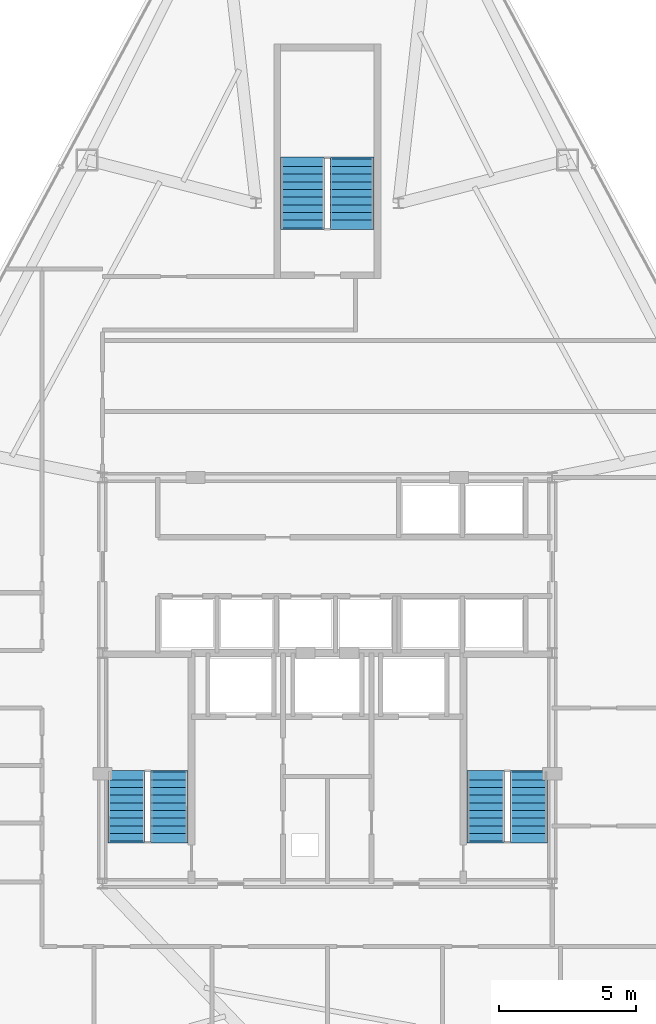
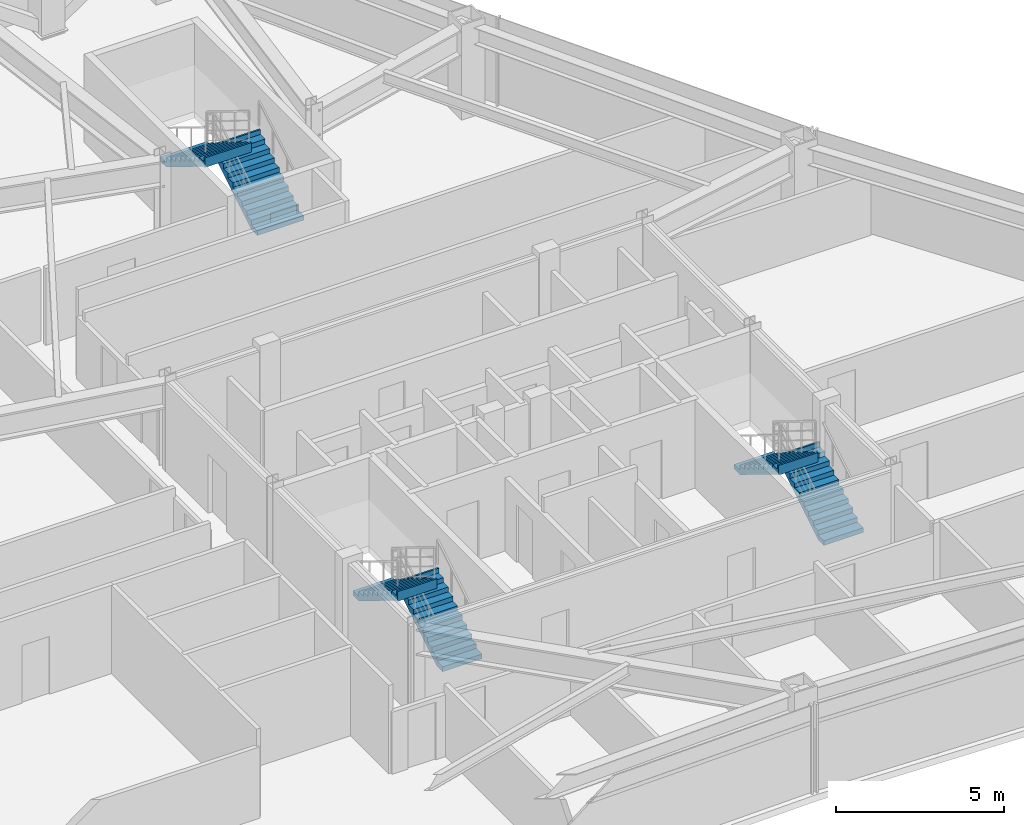
# One storey, part 12 of 13: 6 stair flights, 3 elements without a shape of their own.
"""IFC4 building model written with IfcOpenShell, lengths in metres."""

from ifc_helpers import new_model, si_unit, direction, frame, origin, place, context, subcontext, project, spatial, polyline, outline, extrude, material, type_object, element, aggregate, save


model = new_model("IFC4")

# Units and contexts
model_context = context("Model", 3, precision=1e-05, world=origin(), true_north=direction((0.0, 1.0)))
body_context = subcontext(model_context, "Body", "Model", "MODEL_VIEW")
ifc_project = project(units=[si_unit("LENGTHUNIT", "METRE"), si_unit("AREAUNIT", "SQUARE_METRE"), si_unit("VOLUMEUNIT", "CUBIC_METRE"), si_unit("PLANEANGLEUNIT", "RADIAN"), si_unit("MASSUNIT", "GRAM", prefix="KILO")], contexts=[model_context])

# Site, building, storey
site_placement = place(None, origin())
site = spatial("IfcSite", under=ifc_project, at=site_placement, CompositionType="ELEMENT")
building_placement = place(site_placement, origin())
building = spatial("IfcBuilding", under=site, at=building_placement, Name="Varakhsha Concourse Tower", CompositionType="ELEMENT")
storey_placement = place(building_placement, frame((0.0, 0.0, 165.449951171875)))
storey = spatial("IfcBuildingStorey", under=building, at=storey_placement, Name="L47", CompositionType="ELEMENT", Elevation=165.449951171875)

# Stair, stair flights
ifc_material = material(Name="Concrete fc 45 MPa", Category="concrete")
stair_type_1 = type_object("IfcStairType", Name="ST-DOGLEG-1360", PredefinedType="HALF_TURN_STAIR", material=ifc_material)
stair_1_placement = place(storey_placement, origin())
stair_1 = element("IfcStair", 1, at=stair_1_placement, inside=storey, type_object=stair_type_1, Name="L47 Protected Exit Stair ST1", PredefinedType="HALF_TURN_STAIR")
stair_flight_type_1 = type_object("IfcStairFlightType", Name="STF-1360-R1725", PredefinedType="STRAIGHT", material=ifc_material)
stair_flight_1_placement = place(storey_placement, frame((34.239990234375, 17.93994140625, 0.0), z_axis=(0.0, 0.0, 1.0), x_axis=(0.0, 1.0, 0.0)))
stair_flight_1 = element("IfcStairFlight", 2, at=stair_flight_1_placement, type_object=stair_flight_type_1, Name="ST1 flight 1", NumberOfRisers=10, NumberOfTreads=9, PredefinedType="STRAIGHT", RiserHeight=0.1725, TreadLength=0.28, context=body_context, shape_type="SweptSolid", body=[
    extrude(outline(polyline([(-0.06005859375, 0.0), (-0.06005859375, 0.172607421875), (0.0, 0.172607421875), (0.280029296875, 0.172607421875), (0.280029296875, 0.344970703125), (0.56005859375, 0.344970703125), (0.56005859375, 0.517578125), (0.840087890625, 0.517578125), (0.840087890625, 0.68994140625), (1.1201171875, 0.68994140625), (1.1201171875, 0.862548828125), (1.39990234375, 0.862548828125), (1.39990234375, 1.034912109375), (1.679931640625, 1.034912109375), (1.679931640625, 1.20751953125), (1.9599609375, 1.20751953125), (1.9599609375, 1.3798828125), (2.239990234375, 1.3798828125), (2.239990234375, 1.552490234375), (2.52001953125, 1.552490234375), (2.52001953125, 1.72509765625), (2.580078125, 1.72509765625), (2.580078125, 1.37646484375), (2.52001953125, 1.37646484375), (0.285888671875, 0.0), (-0.06005859375, 0.0)])), frame((0.0, 0.68017578125, 0.0), z_axis=(0.0, -1.0, 0.0), x_axis=(1.0, 0.0, 0.0)), (0.0, 0.0, 1.0), 1.360107421875),
])
stair_flight_2_placement = place(storey_placement, frame((32.679931640625, 20.4599609375, 1.72509765625), z_axis=(0.0, 0.0, 1.0), x_axis=(0.0, -1.0, 0.0)))
stair_flight_2 = element("IfcStairFlight", 3, at=stair_flight_2_placement, type_object=stair_flight_type_1, Name="ST1 flight 2", NumberOfRisers=10, NumberOfTreads=9, PredefinedType="STRAIGHT", RiserHeight=0.1725, TreadLength=0.28, context=body_context, shape_type="SweptSolid", body=[
    extrude(outline(polyline([(-0.06005859375, 0.0), (-0.06005859375, 0.172607421875), (0.0, 0.172607421875), (0.280029296875, 0.172607421875), (0.280029296875, 0.344970703125), (0.56005859375, 0.344970703125), (0.56005859375, 0.517578125), (0.840087890625, 0.517578125), (0.840087890625, 0.68994140625), (1.1201171875, 0.68994140625), (1.1201171875, 0.862548828125), (1.39990234375, 0.862548828125), (1.39990234375, 1.034912109375), (1.679931640625, 1.034912109375), (1.679931640625, 1.20751953125), (1.9599609375, 1.20751953125), (1.9599609375, 1.3798828125), (2.239990234375, 1.3798828125), (2.239990234375, 1.552490234375), (2.52001953125, 1.552490234375), (2.52001953125, 1.72509765625), (2.580078125, 1.72509765625), (2.580078125, 1.37646484375), (2.52001953125, 1.37646484375), (0.285888671875, 0.0), (-0.06005859375, 0.0)])), frame((0.0, 0.68017578125, 0.0), z_axis=(0.0, -1.0, 0.0), x_axis=(1.0, 0.0, 0.0)), (0.0, 0.0, 1.0), 1.360107421875),
])
aggregate(stair_1, [stair_flight_1, stair_flight_2])

stair_2_placement = place(storey_placement, origin())
stair_2 = element("IfcStair", 4, at=stair_2_placement, inside=storey, type_object=stair_type_1, Name="L47 Protected Exit Stair ST2", PredefinedType="HALF_TURN_STAIR")
stair_flight_3_placement = place(storey_placement, frame((47.340087890625, 17.93994140625, 0.0), z_axis=(0.0, 0.0, 1.0), x_axis=(0.0, 1.0, 0.0)))
stair_flight_3 = element("IfcStairFlight", 5, at=stair_flight_3_placement, type_object=stair_flight_type_1, Name="ST2 flight 1", NumberOfRisers=10, NumberOfTreads=9, PredefinedType="STRAIGHT", RiserHeight=0.1725, TreadLength=0.28, context=body_context, shape_type="SweptSolid", body=[
    extrude(outline(polyline([(-0.06005859375, 0.0), (-0.06005859375, 0.172607421875), (0.0, 0.172607421875), (0.280029296875, 0.172607421875), (0.280029296875, 0.344970703125), (0.56005859375, 0.344970703125), (0.56005859375, 0.517578125), (0.840087890625, 0.517578125), (0.840087890625, 0.68994140625), (1.1201171875, 0.68994140625), (1.1201171875, 0.862548828125), (1.39990234375, 0.862548828125), (1.39990234375, 1.034912109375), (1.679931640625, 1.034912109375), (1.679931640625, 1.20751953125), (1.9599609375, 1.20751953125), (1.9599609375, 1.3798828125), (2.239990234375, 1.3798828125), (2.239990234375, 1.552490234375), (2.52001953125, 1.552490234375), (2.52001953125, 1.72509765625), (2.580078125, 1.72509765625), (2.580078125, 1.37646484375), (2.52001953125, 1.37646484375), (0.285888671875, 0.0), (-0.06005859375, 0.0)])), frame((0.0, 0.68017578125, 0.0), z_axis=(0.0, -1.0, 0.0), x_axis=(1.0, 0.0, 0.0)), (0.0, 0.0, 1.0), 1.360107421875),
])
stair_flight_4_placement = place(storey_placement, frame((45.780029296875, 20.4599609375, 1.72509765625), z_axis=(0.0, 0.0, 1.0), x_axis=(0.0, -1.0, 0.0)))
stair_flight_4 = element("IfcStairFlight", 6, at=stair_flight_4_placement, type_object=stair_flight_type_1, Name="ST2 flight 2", NumberOfRisers=10, NumberOfTreads=9, PredefinedType="STRAIGHT", RiserHeight=0.1725, TreadLength=0.28, context=body_context, shape_type="SweptSolid", body=[
    extrude(outline(polyline([(-0.06005859375, 0.0), (-0.06005859375, 0.172607421875), (0.0, 0.172607421875), (0.280029296875, 0.172607421875), (0.280029296875, 0.344970703125), (0.56005859375, 0.344970703125), (0.56005859375, 0.517578125), (0.840087890625, 0.517578125), (0.840087890625, 0.68994140625), (1.1201171875, 0.68994140625), (1.1201171875, 0.862548828125), (1.39990234375, 0.862548828125), (1.39990234375, 1.034912109375), (1.679931640625, 1.034912109375), (1.679931640625, 1.20751953125), (1.9599609375, 1.20751953125), (1.9599609375, 1.3798828125), (2.239990234375, 1.3798828125), (2.239990234375, 1.552490234375), (2.52001953125, 1.552490234375), (2.52001953125, 1.72509765625), (2.580078125, 1.72509765625), (2.580078125, 1.37646484375), (2.52001953125, 1.37646484375), (0.285888671875, 0.0), (-0.06005859375, 0.0)])), frame((0.0, 0.68017578125, 0.0), z_axis=(0.0, -1.0, 0.0), x_axis=(1.0, 0.0, 0.0)), (0.0, 0.0, 1.0), 1.360107421875),
])
aggregate(stair_2, [stair_flight_3, stair_flight_4])

stair_type_2 = type_object("IfcStairType", Name="ST-DOGLEG-1600", PredefinedType="HALF_TURN_STAIR", material=ifc_material)
stair_3_placement = place(storey_placement, origin())
stair_3 = element("IfcStair", 7, at=stair_3_placement, inside=storey, type_object=stair_type_2, Name="L47 Protected Exit Stair ST5", PredefinedType="HALF_TURN_STAIR")
stair_flight_type_2 = type_object("IfcStairFlightType", Name="STF-1600-R1725", PredefinedType="STRAIGHT", material=ifc_material)
stair_flight_5_placement = place(storey_placement, frame((40.89990234375, 40.300048828125, 0.0), z_axis=(0.0, 0.0, 1.0), x_axis=(0.0, 1.0, 0.0)))
stair_flight_5 = element("IfcStairFlight", 8, at=stair_flight_5_placement, type_object=stair_flight_type_2, Name="ST5 flight 1", NumberOfRisers=10, NumberOfTreads=9, PredefinedType="STRAIGHT", RiserHeight=0.1725, TreadLength=0.28, context=body_context, shape_type="SweptSolid", body=[
    extrude(outline(polyline([(-0.06005859375, 0.0), (-0.06005859375, 0.172607421875), (0.0, 0.172607421875), (0.280029296875, 0.172607421875), (0.280029296875, 0.344970703125), (0.56005859375, 0.344970703125), (0.56005859375, 0.517578125), (0.840087890625, 0.517578125), (0.840087890625, 0.68994140625), (1.1201171875, 0.68994140625), (1.1201171875, 0.862548828125), (1.39990234375, 0.862548828125), (1.39990234375, 1.034912109375), (1.679931640625, 1.034912109375), (1.679931640625, 1.20751953125), (1.9599609375, 1.20751953125), (1.9599609375, 1.3798828125), (2.239990234375, 1.3798828125), (2.239990234375, 1.552490234375), (2.52001953125, 1.552490234375), (2.52001953125, 1.72509765625), (2.580078125, 1.72509765625), (2.580078125, 1.37646484375), (2.52001953125, 1.37646484375), (0.285888671875, 0.0), (-0.06005859375, 0.0)])), frame((0.0, 0.800048828125, 0.0), z_axis=(0.0, -1.0, 0.0), x_axis=(1.0, 0.0, 0.0)), (0.0, 0.0, 1.0), 1.60009765625),
])
stair_flight_6_placement = place(storey_placement, frame((39.10009765625, 42.820068359375, 1.72509765625), z_axis=(0.0, 0.0, 1.0), x_axis=(0.0, -1.0, 0.0)))
stair_flight_6 = element("IfcStairFlight", 9, at=stair_flight_6_placement, type_object=stair_flight_type_2, Name="ST5 flight 2", NumberOfRisers=10, NumberOfTreads=9, PredefinedType="STRAIGHT", RiserHeight=0.1725, TreadLength=0.28, context=body_context, shape_type="SweptSolid", body=[
    extrude(outline(polyline([(-0.06005859375, 0.0), (-0.06005859375, 0.172607421875), (0.0, 0.172607421875), (0.280029296875, 0.172607421875), (0.280029296875, 0.344970703125), (0.56005859375, 0.344970703125), (0.56005859375, 0.517578125), (0.840087890625, 0.517578125), (0.840087890625, 0.68994140625), (1.1201171875, 0.68994140625), (1.1201171875, 0.862548828125), (1.39990234375, 0.862548828125), (1.39990234375, 1.034912109375), (1.679931640625, 1.034912109375), (1.679931640625, 1.20751953125), (1.9599609375, 1.20751953125), (1.9599609375, 1.3798828125), (2.239990234375, 1.3798828125), (2.239990234375, 1.552490234375), (2.52001953125, 1.552490234375), (2.52001953125, 1.72509765625), (2.580078125, 1.72509765625), (2.580078125, 1.37646484375), (2.52001953125, 1.37646484375), (0.285888671875, 0.0), (-0.06005859375, 0.0)])), frame((0.0, 0.800048828125, 0.0), z_axis=(0.0, -1.0, 0.0), x_axis=(1.0, 0.0, 0.0)), (0.0, 0.0, 1.0), 1.60009765625),
])
aggregate(stair_3, [stair_flight_5, stair_flight_6])

save(model, "model.ifc")
